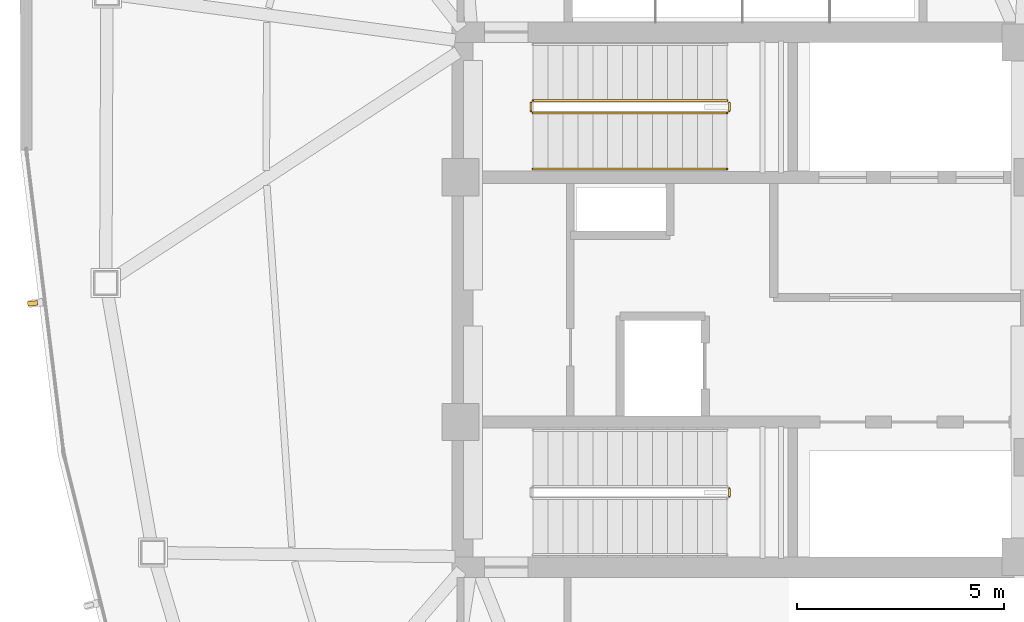
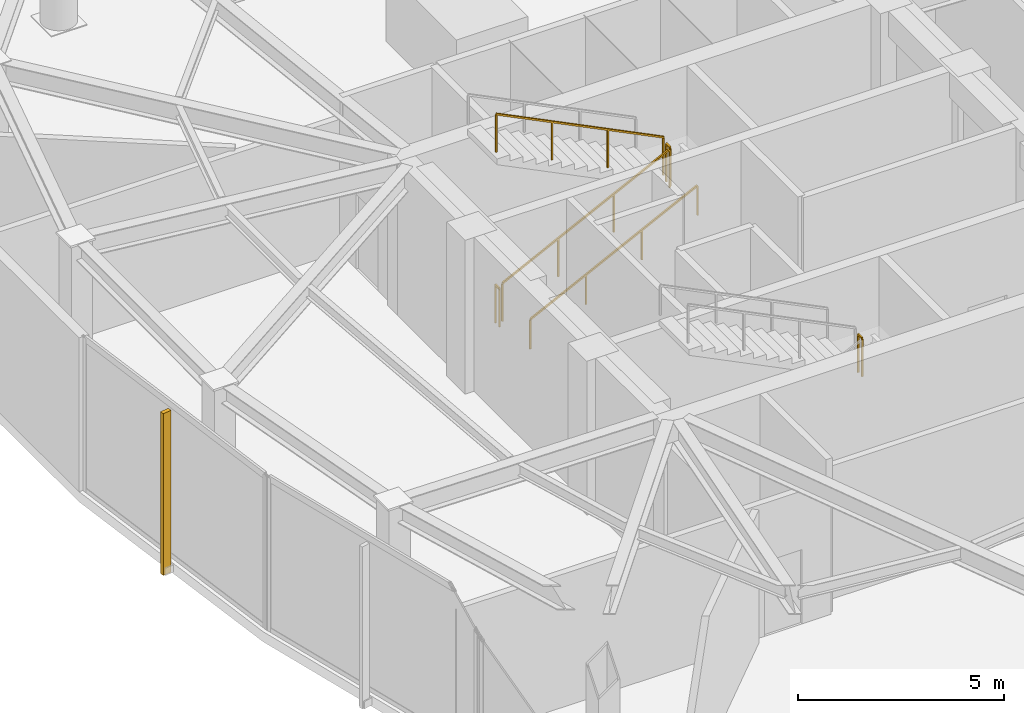
# One storey, part 14 of 17: 6 railings, 1 shading device.
"""IFC4 building model written with IfcOpenShell, lengths in metres."""

from ifc_helpers import new_model, si_unit, direction, frame, origin, origin_2d, place, context, subcontext, project, spatial, rectangle, extrude, source, transform, mapped, material, type_object, type_shapes, element, save


model = new_model("IFC4")

# Units and contexts
model_context = context("Model", 3, precision=1e-05, world=origin(), true_north=direction((0.0, 1.0)))
body_context = subcontext(model_context, "Body", "Model", "MODEL_VIEW")
ifc_project = project(units=[si_unit("LENGTHUNIT", "METRE"), si_unit("AREAUNIT", "SQUARE_METRE"), si_unit("VOLUMEUNIT", "CUBIC_METRE"), si_unit("PLANEANGLEUNIT", "RADIAN"), si_unit("MASSUNIT", "GRAM", prefix="KILO")], contexts=[model_context])

# Site, building, storey
site_placement = place(None, origin())
site = spatial("IfcSite", under=ifc_project, at=site_placement, CompositionType="ELEMENT")
building_placement = place(site_placement, origin())
building = spatial("IfcBuilding", under=site, at=building_placement, Name="Tavelor Broadcast Tower", CompositionType="ELEMENT")
storey_placement = place(building_placement, frame((0.0, 0.0, 204.14990234375)))
storey = spatial("IfcBuildingStorey", under=building, at=storey_placement, Name="L49", CompositionType="ELEMENT", Elevation=204.14990234375)

# Railings
ifc_material_1 = material(Name="Steel S355", Category="steel")
railing_type_1 = type_object("IfcRailingType", Name="Continuous Brushed Stainless Handrail 900 mm", PredefinedType="HANDRAIL", material=ifc_material_1)
railing_1_placement = place(storey_placement, frame((44.85009765625, 48.14990234375, 0.1787109375)))
element("IfcRailing", 1, at=railing_1_placement, inside=storey, type_object=railing_type_1, Name="L49 ST1 stair handrail 1", PredefinedType="HANDRAIL", context=body_context, shape_type="SweptSolid", body=[
    extrude(rectangle(XDim=0.048095703125, YDim=0.048095703125, at=origin_2d()), frame((0.0, 0.0, 0.8759765625), z_axis=(0.89585269218, 0.0, 0.444351160585), x_axis=(0.0, 1.0, 0.0)), (0.0, 0.0, 1.0), 5.223876953125),
    extrude(rectangle(XDim=0.0419921875, YDim=0.0419921875, at=origin_2d()), origin(), (0.0, 0.0, 1.0), 0.851806640625),
    extrude(rectangle(XDim=0.0419921875, YDim=0.0419921875, at=origin_2d()), frame((1.56005859375, 0.0, 0.773681640625)), (0.0, 0.0, 1.0), 0.851806640625),
    extrude(rectangle(XDim=0.0419921875, YDim=0.0419921875, at=origin_2d()), frame((3.119873046875, 0.0, 1.547607421875)), (0.0, 0.0, 1.0), 0.851806640625),
    extrude(rectangle(XDim=0.0419921875, YDim=0.0419921875, at=origin_2d()), frame((4.679931640625, 0.0, 2.3212890625)), (0.0, 0.0, 1.0), 0.851806640625),
])
railing_type_2 = type_object("IfcRailingType", Name="Stairwell Steel Safety Guardrail 1150 mm", PredefinedType="GUARDRAIL", material=ifc_material_1)
railing_2_placement = place(storey_placement, frame((44.85009765625, 49.5, 0.1787109375)))
element("IfcRailing", 2, at=railing_2_placement, inside=storey, type_object=railing_type_2, Name="L49 ST1 stair guard 1", PredefinedType="GUARDRAIL", context=body_context, shape_type="SweptSolid", body=[
    extrude(rectangle(XDim=0.048095703125, YDim=0.048095703125, at=origin_2d()), frame((0.0, 0.0, 1.1259765625), z_axis=(0.89585269218, 0.0, 0.444351160585), x_axis=(0.0, 1.0, 0.0)), (0.0, 0.0, 1.0), 5.223876953125),
    extrude(rectangle(XDim=0.0419921875, YDim=0.0419921875, at=origin_2d()), origin(), (0.0, 0.0, 1.0), 1.101806640625),
    extrude(rectangle(XDim=0.0419921875, YDim=0.0419921875, at=origin_2d()), frame((1.56005859375, 0.0, 0.773681640625)), (0.0, 0.0, 1.0), 1.101806640625),
    extrude(rectangle(XDim=0.0419921875, YDim=0.0419921875, at=origin_2d()), frame((3.119873046875, 0.0, 1.547607421875)), (0.0, 0.0, 1.0), 1.101806640625),
    extrude(rectangle(XDim=0.0419921875, YDim=0.0419921875, at=origin_2d()), frame((4.679931640625, 0.0, 2.3212890625)), (0.0, 0.0, 1.0), 1.101806640625),
])
railing_3_placement = place(storey_placement, frame((49.580078125, 49.550048828125, 2.5)))
element("IfcRailing", 3, at=railing_3_placement, inside=storey, type_object=railing_type_2, Name="L49 ST1 stair guard 2", PredefinedType="GUARDRAIL", context=body_context, shape_type="SweptSolid", body=[
    extrude(rectangle(XDim=0.048095703125, YDim=0.048095703125, at=origin_2d()), frame((0.0, 0.0, 1.1259765625), z_axis=(0.0, 1.0, 0.0), x_axis=(-1.0, 0.0, 0.0)), (0.0, 0.0, 1.0), 0.199951171875),
    extrude(rectangle(XDim=0.0419921875, YDim=0.0419921875, at=origin_2d()), origin(), (0.0, 0.0, 1.0), 1.101806640625),
    extrude(rectangle(XDim=0.0419921875, YDim=0.0419921875, at=origin_2d()), frame((0.0, 0.199951171875, 0.0)), (0.0, 0.0, 1.0), 1.101806640625),
])
railing_4_placement = place(storey_placement, frame((49.530029296875, 49.800048828125, 2.6787109375)))
element("IfcRailing", 4, at=railing_4_placement, inside=storey, type_object=railing_type_2, Name="L49 ST1 stair guard 3", PredefinedType="GUARDRAIL", context=body_context, shape_type="SweptSolid", body=[
    extrude(rectangle(XDim=0.048095703125, YDim=0.048095703125, at=origin_2d()), frame((0.0, 0.0, 1.1259765625), z_axis=(-0.89585269218, 0.0, 0.444351160585), x_axis=(0.0, -1.0, 0.0)), (0.0, 0.0, 1.0), 5.223876953125),
    extrude(rectangle(XDim=0.0419921875, YDim=0.0419921875, at=origin_2d()), origin(), (0.0, 0.0, 1.0), 1.101806640625),
    extrude(rectangle(XDim=0.0419921875, YDim=0.0419921875, at=origin_2d()), frame((-1.56005859375, 0.0, 0.773681640625)), (0.0, 0.0, 1.0), 1.101806640625),
    extrude(rectangle(XDim=0.0419921875, YDim=0.0419921875, at=origin_2d()), frame((-3.119873046875, 0.0, 1.547607421875)), (0.0, 0.0, 1.0), 1.101806640625),
    extrude(rectangle(XDim=0.0419921875, YDim=0.0419921875, at=origin_2d()), frame((-4.679931640625, 0.0, 2.3212890625)), (0.0, 0.0, 1.0), 1.101806640625),
])
for number, where, name in (
    (5, (44.800048828125, 49.550048828125, 0.0), "L49 ST1 stair guard 4"),
    (6, (49.580078125, 40.25, 2.5), "L49 ST2 stair guard 2"),
):
    element("IfcRailing", number, at=place(storey_placement, frame(where)), inside=storey, type_object=railing_type_2, Name=name, PredefinedType="GUARDRAIL", context=body_context, shape_type="SweptSolid", body=[
        extrude(rectangle(XDim=0.048095703125, YDim=0.048095703125, at=origin_2d()), frame((0.0, 0.0, 1.1259765625), z_axis=(0.0, 1.0, 0.0), x_axis=(-1.0, 0.0, 0.0)), (0.0, 0.0, 1.0), 0.199951171875),
        extrude(rectangle(XDim=0.0419921875, YDim=0.0419921875, at=origin_2d()), origin(), (0.0, 0.0, 1.0), 1.101806640625),
        extrude(rectangle(XDim=0.0419921875, YDim=0.0419921875, at=origin_2d()), frame((0.0, 0.199951171875, 0.0)), (0.0, 0.0, 1.0), 1.101806640625),
    ])

# Shading device
ifc_material_2 = material(Name="Kiln-Fired Glazed Terracotta", Category="masonry")
shading_device_type = type_object("IfcShadingDeviceType", Name="Extruded Terracotta Baguette Sun-Screen 110x240", PredefinedType="JALOUSIE", material=ifc_material_2)
shared_shape = source(origin(), body_context, "Body", "SweptSolid", [
    extrude(rectangle(XDim=0.110107421875, YDim=0.239990234375, at=origin_2d()), origin(), (0.0, 0.0, 1.0), 4.7900390625),
])
type_shapes(shading_device_type, [shared_shape])
shading_device_placement = place(storey_placement, frame((32.783203125, 44.9091796875, -0.260009765625), z_axis=(0.0, 0.0, 1.0), x_axis=(0.12221579994, -0.992503550747, 0.0)))
element("IfcShadingDevice", 7, at=shading_device_placement, inside=storey, type_object=shading_device_type, Name="L49 Terracotta Baguette Fin 517", PredefinedType="JALOUSIE", context=body_context, shape_type="MappedRepresentation", body=[
    mapped(shared_shape, transform((0.0, 0.0, 0.0), scale=1.0)),
])

save(model, "model.ifc")
